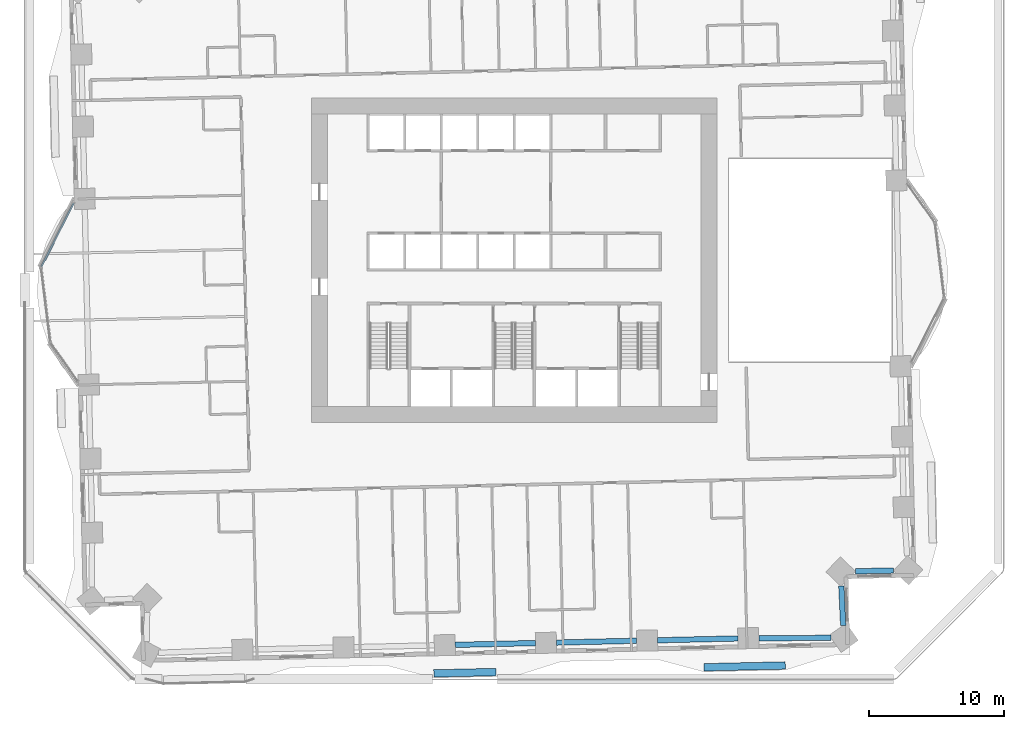
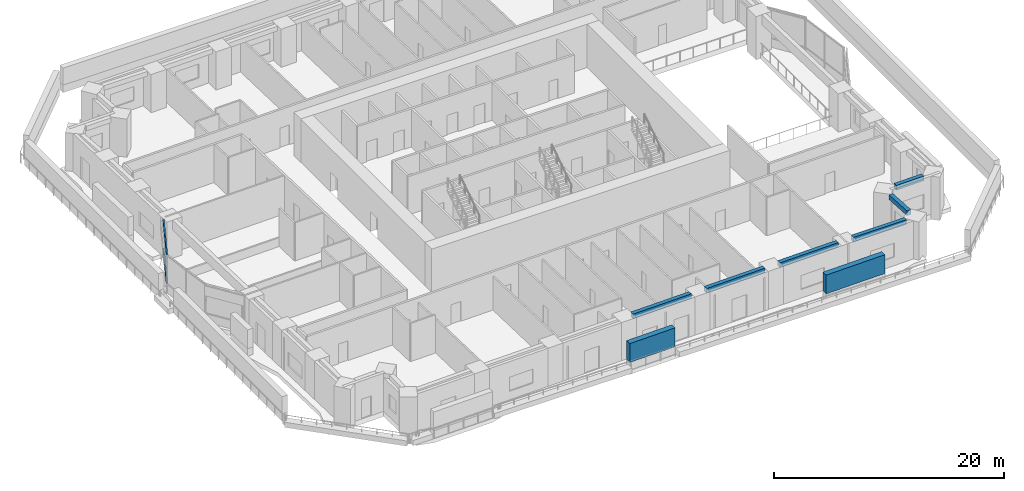
# One storey, part 3 of 21: 6 beams, 4 members, 1 element without a shape of its own.
"""IFC4 building model written with IfcOpenShell, lengths in metres."""

from ifc_helpers import new_model, si_unit, direction, frame, origin, origin_2d, place, context, subcontext, project, spatial, rectangle, extrude, material, material_profile, profile_set, type_object, element, aggregate, save


model = new_model("IFC4")

# Units and contexts
model_context = context("Model", 3, precision=1e-05, world=origin(), true_north=direction((0.0, 1.0)))
body_context = subcontext(model_context, "Body", "Model", "MODEL_VIEW")
ifc_project = project(units=[si_unit("LENGTHUNIT", "METRE"), si_unit("AREAUNIT", "SQUARE_METRE"), si_unit("VOLUMEUNIT", "CUBIC_METRE"), si_unit("PLANEANGLEUNIT", "RADIAN"), si_unit("MASSUNIT", "GRAM", prefix="KILO")], contexts=[model_context])

# Site, building, storey
site_placement = place(None, origin())
site = spatial("IfcSite", under=ifc_project, at=site_placement, CompositionType="ELEMENT")
building_placement = place(site_placement, origin())
building = spatial("IfcBuilding", under=site, at=building_placement, Name="Mangrove Gate Tower", CompositionType="ELEMENT")
storey_placement = place(building_placement, frame((0.0, 0.0, 29.5)))
storey = spatial("IfcBuildingStorey", under=building, at=storey_placement, Name="L06", CompositionType="ELEMENT", Elevation=29.5)

# Members
ifc_material_1 = material(Name="Planting on aluminium trellis", Category="aluminium")
ifc_material_profile_1 = material_profile(ifc_material_1, rectangle(XDim=0.550048828125, YDim=2.0, at=origin_2d()))
ifc_profile_set_1 = profile_set([ifc_material_profile_1], Name="Planting on aluminium trellis")
member_type_1 = type_object("IfcMemberType", Name="Balcony greenery screen 550x2000", PredefinedType="USERDEFINED", material=ifc_profile_set_1)
member_1_placement = place(storey_placement, frame((-5.946044921875, -30.555908203125, 1.800048828125), z_axis=(0.999739584003, 0.022820258049, 0.0), x_axis=(-0.022820258049, 0.999739584003, 0.0)))
element("IfcMember", 1, at=member_1_placement, inside=storey, type_object=member_type_1, Name="GREEN SCREEN L06 S0.2", ObjectType="PLANTING", PredefinedType="USERDEFINED", context=body_context, shape_type="SweptSolid", body=[
    extrude(rectangle(XDim=0.550048828125, YDim=2.0, at=origin_2d()), origin(), (0.0, 0.0, 1.0), 4.600341796875),
])
member_2_placement = place(storey_placement, frame((14.049072265625, -30.10205078125, 1.800048828125), z_axis=(0.999743178102, 0.022662255828, 0.0), x_axis=(-0.022662255828, 0.999743178102, 0.0)))
element("IfcMember", 2, at=member_2_placement, inside=storey, type_object=member_type_1, Name="GREEN SCREEN L06 S1.1", ObjectType="PLANTING", PredefinedType="USERDEFINED", context=body_context, shape_type="SweptSolid", body=[
    extrude(rectangle(XDim=0.550048828125, YDim=2.0, at=origin_2d()), origin(), (0.0, 0.0, 1.0), 6.00048828125),
])

# Beams
ifc_material_2 = material(Name="Concrete C50/60", Category="concrete")
ifc_material_profile_2 = material_profile(ifc_material_2, rectangle(XDim=0.39990234375, YDim=0.5, at=origin_2d()))
ifc_profile_set_2 = profile_set([ifc_material_profile_2], Name="Concrete C50/60")
beam_type = type_object("IfcBeamType", Name="Edge beam RC 400x500 C50/60", PredefinedType="BEAM", material=ifc_profile_set_2)
for number, where, z_axis, x_axis, name in (
    (3, (-4.36083984375, -28.444580078125, 3.800048828125), (0.999742238829, 0.02270365392, 0.0), (-0.02270365392, 0.999742238829, 0.0), "Edge beam L06 08"),
    (4, (3.123291015625, -28.274658203125, 3.800048828125), (0.999742238829, 0.02270365392, 0.0), (-0.02270365392, 0.999742238829, 0.0), "Edge beam L06 09"),
):
    element("IfcBeam", number, at=place(storey_placement, frame(where, z_axis=z_axis, x_axis=x_axis)), inside=storey, type_object=beam_type, Name=name, PredefinedType="BEAM", context=body_context, shape_type="SweptSolid", body=[
        extrude(rectangle(XDim=0.39990234375, YDim=0.5, at=origin_2d()), origin(), (0.0, 0.0, 1.0), 5.935791015625),
    ])
beam_1_placement = place(storey_placement, frame((10.607177734375, -28.1044921875, 3.800048828125), z_axis=(0.999742175215, 0.022706454934, 0.0), x_axis=(-0.022706454934, 0.999742175215, 0.0)))
element("IfcBeam", 5, at=beam_1_placement, inside=storey, type_object=beam_type, Name="Edge beam L06 10", PredefinedType="BEAM", context=body_context, shape_type="SweptSolid", body=[
    extrude(rectangle(XDim=0.39990234375, YDim=0.5, at=origin_2d()), origin(), (0.0, 0.0, 1.0), 5.93505859375),
])
beam_2_placement = place(storey_placement, frame((18.090576171875, -27.948974609375, 3.800048828125), z_axis=(0.999991714378, 0.004070770826, 0.0), x_axis=(-0.004070770826, 0.999991714378, 0.0)))
element("IfcBeam", 6, at=beam_2_placement, inside=storey, type_object=beam_type, Name="Edge beam L06 11", PredefinedType="BEAM", context=body_context, shape_type="SweptSolid", body=[
    extrude(rectangle(XDim=0.39990234375, YDim=0.5, at=origin_2d()), origin(), (0.0, 0.0, 1.0), 5.337646484375),
])
beam_3_placement = place(storey_placement, frame((24.329345703125, -27.0068359375, 3.800048828125), z_axis=(-0.046539094766, 0.99891646931, 0.0), x_axis=(-0.99891646931, -0.046539094766, 0.0)))
element("IfcBeam", 7, at=beam_3_placement, inside=storey, type_object=beam_type, Name="Edge beam L06 12", PredefinedType="BEAM", context=body_context, shape_type="SweptSolid", body=[
    extrude(rectangle(XDim=0.39990234375, YDim=0.5, at=origin_2d()), origin(), (0.0, 0.0, 1.0), 2.916748046875),
])
beam_4_placement = place(storey_placement, frame((25.237060546875, -23.001220703125, 3.800048828125), z_axis=(0.999788239526, 0.020578535069, 0.0), x_axis=(-0.020578535069, 0.999788239526, 0.0)))
element("IfcBeam", 8, at=beam_4_placement, inside=storey, type_object=beam_type, Name="Edge beam L06 13", PredefinedType="BEAM", context=body_context, shape_type="SweptSolid", body=[
    extrude(rectangle(XDim=0.39990234375, YDim=0.5, at=origin_2d()), origin(), (0.0, 0.0, 1.0), 2.823486328125),
])

# Curtain wall, members
ifc_material_3 = material(Name="Aluminium and glass curtain wall", Category="aluminium")
curtain_wall_type = type_object("IfcCurtainWallType", Name="Sky-lounge glazing wall", PredefinedType="NOTDEFINED", material=ifc_material_3)
curtain_wall_placement = place(storey_placement, origin())
curtain_wall = element("IfcCurtainWall", 9, at=curtain_wall_placement, inside=storey, type_object=curtain_wall_type, Name="Sky-lounge glazing W9f1", PredefinedType="NOTDEFINED")
ifc_material_4 = material(Name="Aluminium alloy 6063-T6", Category="aluminium")
ifc_material_profile_3 = material_profile(ifc_material_4, rectangle(XDim=0.06005859375, YDim=0.139892578125, at=origin_2d()))
ifc_profile_set_3 = profile_set([ifc_material_profile_3], Name="Aluminium alloy 6063-T6")
member_type_2 = type_object("IfcMemberType", Name="Sky-lounge glazing transom 60x140", PredefinedType="USERDEFINED", material=ifc_profile_set_3)
member_3_placement = place(storey_placement, frame((-32.57958984375, 4.22607421875, 1.0), z_axis=(-0.452608055434, -0.891709564912, 0.0), x_axis=(0.0, 0.0, 1.0)))
member_3 = element("IfcMember", 10, at=member_3_placement, type_object=member_type_2, Name="CWK transom 1.2", ObjectType="TRANSOM", PredefinedType="USERDEFINED", context=body_context, shape_type="SweptSolid", body=[
    extrude(rectangle(XDim=0.06005859375, YDim=0.139892578125, at=origin_2d()), origin(), (0.0, 0.0, 1.0), 5.278076171875),
])
member_4_placement = place(storey_placement, frame((-32.57958984375, 4.22607421875, 4.02001953125), z_axis=(-0.452608055434, -0.891709564912, 0.0), x_axis=(0.0, 0.0, 1.0)))
member_4 = element("IfcMember", 11, at=member_4_placement, type_object=member_type_2, Name="CWK transom 1.3", ObjectType="TRANSOM", PredefinedType="USERDEFINED", context=body_context, shape_type="SweptSolid", body=[
    extrude(rectangle(XDim=0.06005859375, YDim=0.139892578125, at=origin_2d()), origin(), (0.0, 0.0, 1.0), 5.278076171875),
])
aggregate(curtain_wall, [member_3, member_4])

save(model, "model.ifc")
